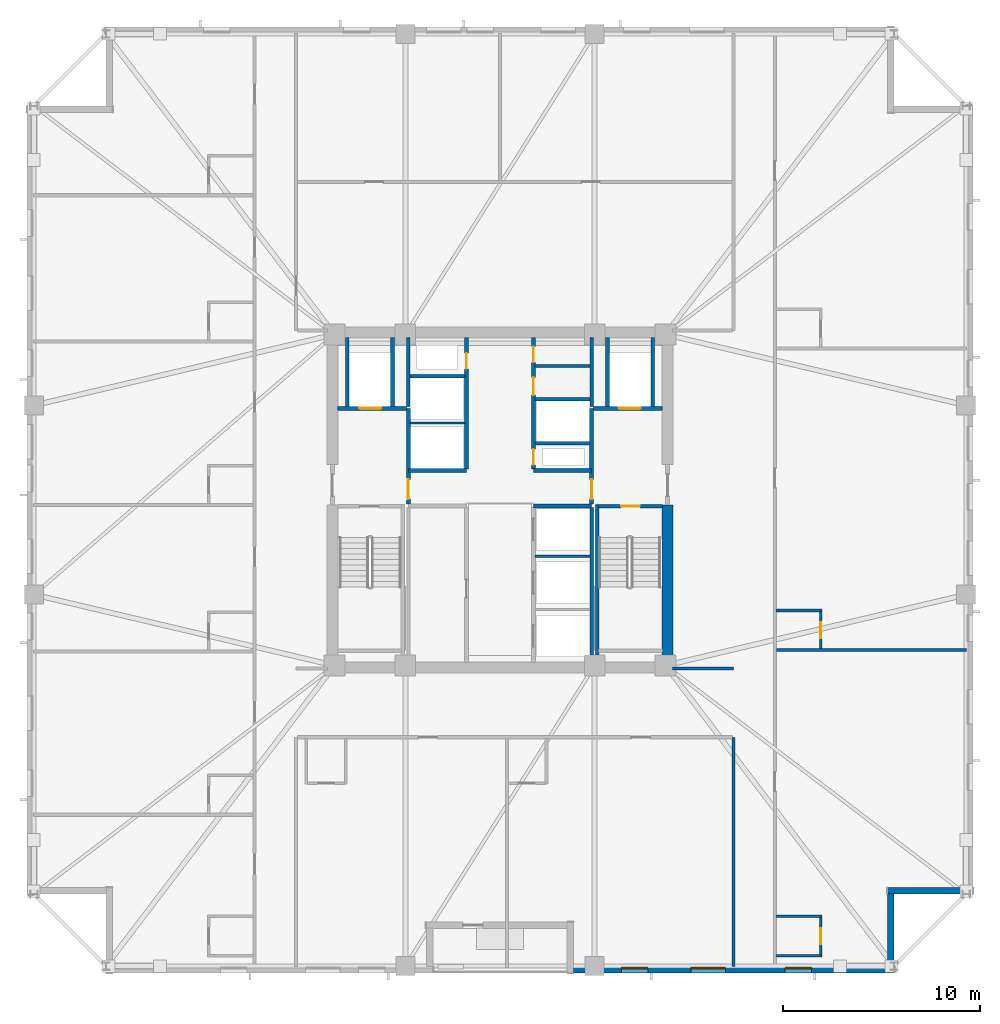
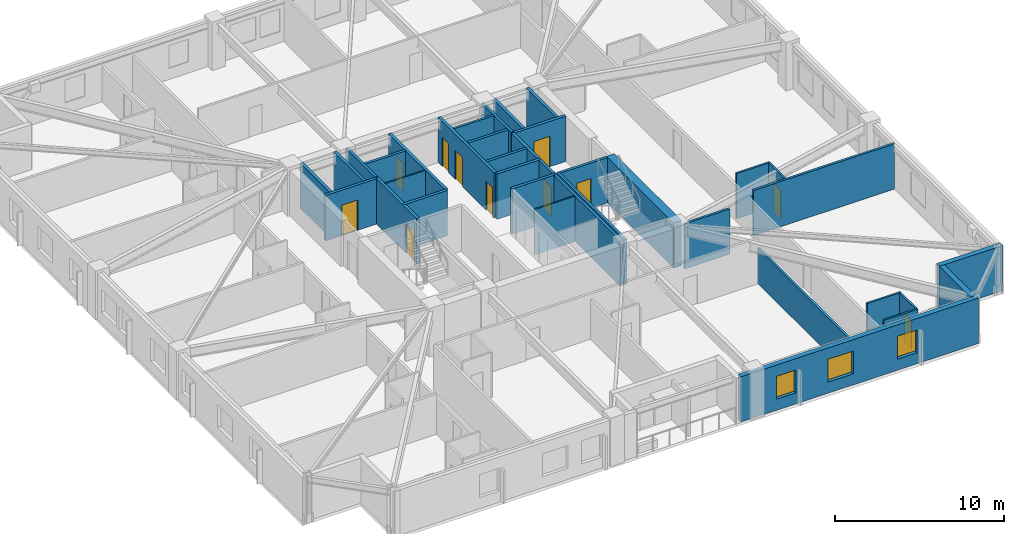
# One storey, part 4 of 11: 36 walls, 11 doors, 3 windows, 14 openings.
"""IFC4 building model written with IfcOpenShell, lengths in metres."""

import ifcopenshell
import ifcopenshell.guid

model = None  # the IFC model being written
_history = None  # IfcOwnerHistory: only IFC2X3 demands one
_inside = {}  # id of a spatial element -> (the spatial element, [elements in it])
_under = {}  # id of a project, library or spatial element -> (it, [spatial elements below it])
_declared = {}  # id of a project -> (the project, [libraries it declares])
_typed = {}  # id of a type object -> (the type object, [elements of that type])
_made_of = {}  # id of a material, layer set ... -> (it, [elements and type objects made of it])


def new_model(schema):
    """Start an empty IFC model of exactly this schema.

    Asked for "IFC4X3", IfcOpenShell would pick the latest addendum, in which some entities
    have other attributes; the version numbers below select the first issue.
    IFC2X3 requires an IfcOwnerHistory on every rooted entity: one is made here for all.
    """
    global model, _history
    if schema == "IFC4X3":
        model = ifcopenshell.file(schema_version=(4, 3, 0, 0))
    else:
        model = ifcopenshell.file(schema=schema)
    _inside.clear()
    _under.clear()
    _declared.clear()
    _typed.clear()
    _made_of.clear()
    _history = None
    if model.schema == "IFC2X3":
        org = make("IfcOrganization", Name="unknown")
        user = make(
            "IfcPersonAndOrganization",
            ThePerson=make("IfcPerson", FamilyName="unknown"),
            TheOrganization=org,
        )
        app = make(
            "IfcApplication",
            ApplicationDeveloper=org,
            Version="unknown",
            ApplicationFullName="unknown",
            ApplicationIdentifier="unknown",
        )
        _history = make(
            "IfcOwnerHistory",
            OwningUser=user,
            OwningApplication=app,
            ChangeAction="ADDED",
            CreationDate=0,
        )
    return model


def make(cls, **values):
    """One entity of the class cls with the attributes given. An attribute that is None is left unset."""
    return model.create_entity(
        cls, **{name: value for name, value in values.items() if value is not None}
    )


def rooted(cls, **values):
    """An entity with a GlobalId (a new one), such as an element, a storey or a relation."""
    return make(cls, GlobalId=ifcopenshell.guid.new(), OwnerHistory=_history, **values)


def si_unit(unit_type, name, prefix=None):
    """IfcSIUnit, for example si_unit("LENGTHUNIT", "METRE", prefix="MILLI")."""
    return make("IfcSIUnit", UnitType=unit_type, Prefix=prefix, Name=name)


def assignment(units):
    """IfcUnitAssignment: the units of a project."""
    return None if units is None else make("IfcUnitAssignment", Units=units)


def point(xyz):
    """IfcCartesianPoint."""
    return None if xyz is None else make("IfcCartesianPoint", Coordinates=xyz)


def direction(xyz):
    """IfcDirection."""
    return None if xyz is None else make("IfcDirection", DirectionRatios=xyz)


def frame(location, z_axis=None, x_axis=None):
    """IfcAxis2Placement3D, a coordinate frame: its origin and axes. An axis left out is left unset."""
    return make(
        "IfcAxis2Placement3D",
        Location=point(location),
        Axis=direction(z_axis),
        RefDirection=direction(x_axis),
    )


def frame_2d(location, x_axis=None):
    """IfcAxis2Placement2D, a coordinate frame in the plane: its origin and x axis."""
    return make(
        "IfcAxis2Placement2D", Location=point(location), RefDirection=direction(x_axis)
    )


def origin():
    """The frame at (0, 0, 0) with its axes left unset."""
    return frame((0.0, 0.0, 0.0))


def place(relative_to, where):
    """IfcLocalPlacement: puts the frame where relative to a parent placement (None: the world)."""
    return make(
        "IfcLocalPlacement", PlacementRelTo=relative_to, RelativePlacement=where
    )


def context(
    kind, dimensions, precision=None, world=None, true_north=None, identifier=None
):
    """IfcGeometricRepresentationContext, for example the 3D "Model" context."""
    return make(
        "IfcGeometricRepresentationContext",
        ContextIdentifier=identifier,
        ContextType=kind,
        CoordinateSpaceDimension=dimensions,
        Precision=precision,
        WorldCoordinateSystem=world,
        TrueNorth=true_north,
    )


def subcontext(parent, identifier, kind, view, scale=None):
    """IfcGeometricRepresentationSubContext, for example "Body" below "Model"."""
    return make(
        "IfcGeometricRepresentationSubContext",
        ContextIdentifier=identifier,
        ContextType=kind,
        ParentContext=parent,
        TargetScale=scale,
        TargetView=view,
    )


def project(units=None, contexts=None):
    """IfcProject with its units and contexts."""
    return rooted(
        "IfcProject",
        Name="project",
        RepresentationContexts=contexts,
        UnitsInContext=assignment(units),
    )


def spatial(cls, under=None, at=None, **own):
    """A site, building, storey or space (cls), placed at a placement, below another one or the project."""
    s = rooted(cls, ObjectPlacement=at, **own)
    if under is not None:
        _under.setdefault(under.id(), (under, []))[1].append(s)
    return s


def profile(cls, at=None, kind="AREA", **sizes):
    """A parametric profile (cls). Its sizes go by their IFC names, for example OverallWidth=200.0."""
    return make(cls, ProfileType=kind, Position=at, **sizes)


def rectangle(**sizes):
    """IfcRectangleProfileDef."""
    return profile("IfcRectangleProfileDef", **sizes)


def extrude(swept, where, along, depth):
    """IfcExtrudedAreaSolid: the profile swept, set in the frame where, extruded along a direction by depth."""
    return make(
        "IfcExtrudedAreaSolid",
        SweptArea=swept,
        Position=where,
        ExtrudedDirection=direction(along),
        Depth=depth,
    )


def shape(context_of_items, identifier, shape_type, items):
    """IfcShapeRepresentation: the items that make up one representation, for example the "Body"."""
    return make(
        "IfcShapeRepresentation",
        ContextOfItems=context_of_items,
        RepresentationIdentifier=identifier,
        RepresentationType=shape_type,
        Items=items,
    )


def material(Name=None, Category=None):
    """IfcMaterial."""
    return make("IfcMaterial", Name=Name, Category=Category)


def layer(
    of_material, thickness, ventilated=None, Name=None, Category=None, Priority=None
):
    """IfcMaterialLayer: one layer of a wall or slab, of a material (None: an air gap)."""
    return make(
        "IfcMaterialLayer",
        Material=of_material,
        LayerThickness=thickness,
        IsVentilated=ventilated,
        Name=Name,
        Category=Category,
        Priority=Priority,
    )


def layer_set(layers, Name=None):
    """IfcMaterialLayerSet."""
    return make("IfcMaterialLayerSet", MaterialLayers=layers, LayerSetName=Name)


def made_of(thing, what):
    """Note that an element or type object is made of a material, layer set ...; save() writes the relation."""
    if what is not None:
        _made_of.setdefault(what.id(), (what, []))[1].append(thing)
    return thing


def type_object(cls, material=None, **own):
    """A type object (cls), such as IfcWallType, which elements share."""
    return made_of(rooted(cls, **own), material)


def element(
    cls,
    number,
    at=None,
    inside=None,
    cuts=None,
    type_object=None,
    material=None,
    context=None,
    identifier="Body",
    shape_type=None,
    held_by="IfcProductDefinitionShape",
    body=None,
    shapes=None,
    **own,
):
    """One element of the class cls, such as IfcWall. Its Tag is "e" and its number.

    at: its placement. inside: the storey or other place that contains it. cuts: it is an
    opening in that element (IfcRelVoidsElement). A single representation is given by context,
    identifier, shape_type and body (its items); several are given by shapes. held_by: the class
    of the entity that holds the representations. save() writes the other relations.
    """
    e = rooted(cls, Tag="e%d" % number, ObjectPlacement=at, **own)
    if body is not None:
        shapes = [shape(context, identifier, shape_type, body)]
    if shapes is not None:
        e.Representation = make(held_by, Representations=shapes)
    if inside is not None:
        _inside.setdefault(inside.id(), (inside, []))[1].append(e)
    if cuts is not None:
        rooted(
            "IfcRelVoidsElement", RelatingBuildingElement=cuts, RelatedOpeningElement=e
        )
    if type_object is not None:
        _typed.setdefault(type_object.id(), (type_object, []))[1].append(e)
    return made_of(e, material)


def fill(opening, filler):
    """IfcRelFillsElement: the door or window that sits in an opening."""
    return rooted(
        "IfcRelFillsElement",
        RelatingOpeningElement=opening,
        RelatedBuildingElement=filler,
    )


def aggregate(whole, parts):
    """IfcRelAggregates: a whole, such as a stair, and the parts it consists of."""
    return rooted("IfcRelAggregates", RelatingObject=whole, RelatedObjects=parts)


def save(model, path):
    """Write the relations noted so far, then the file.

    IfcRelAggregates (storeys below a building ...), IfcRelContainedInSpatialStructure (elements
    in a storey), IfcRelDefinesByType, IfcRelAssociatesMaterial and IfcRelDeclares: one each for
    every whole, place, type object, material and project.
    """
    for whole, parts in _under.values():
        aggregate(whole, parts)
    for where, things in _inside.values():
        rooted(
            "IfcRelContainedInSpatialStructure",
            RelatedElements=things,
            RelatingStructure=where,
        )
    for kind, things in _typed.values():
        rooted("IfcRelDefinesByType", RelatedObjects=things, RelatingType=kind)
    for what, things in _made_of.values():
        rooted("IfcRelAssociatesMaterial", RelatedObjects=things, RelatingMaterial=what)
    for by, libraries in _declared.values():
        rooted("IfcRelDeclares", RelatingContext=by, RelatedDefinitions=libraries)
    model.write(path)


model = new_model("IFC4")

# Units and contexts
model_context = context("Model", 3, precision=1e-05, world=origin(), true_north=direction((0.0, 1.0)))
body_context = subcontext(model_context, "Body", "Model", "MODEL_VIEW")
ifc_project = project(units=[si_unit("LENGTHUNIT", "METRE"), si_unit("AREAUNIT", "SQUARE_METRE"), si_unit("VOLUMEUNIT", "CUBIC_METRE"), si_unit("PLANEANGLEUNIT", "RADIAN"), si_unit("MASSUNIT", "GRAM", prefix="KILO")], contexts=[model_context])

# Site, building, storey
site_placement = place(None, origin())
site = spatial("IfcSite", under=ifc_project, at=site_placement, CompositionType="ELEMENT")
building_placement = place(site_placement, origin())
building = spatial("IfcBuilding", under=site, at=building_placement, Name="Cairnveth Concourse Tower", CompositionType="ELEMENT")
storey_placement = place(building_placement, frame((0.0, 0.0, 155.0)))
storey = spatial("IfcBuildingStorey", under=building, at=storey_placement, Name="L42", CompositionType="ELEMENT", Elevation=155.0)

# Walls
ifc_material_1 = material(Name="Gypsum Plasterboard Partition", Category="gypsum")
ifc_layer_1 = layer(ifc_material_1, 0.159912109375)
ifc_layer_set_1 = layer_set([ifc_layer_1], Name="Gypsum Plasterboard Partition")
wall_type_1 = type_object("IfcWallType", Name="ACOUSTIC PARTY WALL 180", PredefinedType="PARTITIONING", material=ifc_layer_set_1)
wall_1_placement = place(storey_placement, frame((53.784912109375, 45.800048828125, 0.0), z_axis=(0.0, 0.0, 1.0), x_axis=(1.0, 0.0, 0.0)))
element("IfcWall", 1, at=wall_1_placement, inside=storey, type_object=wall_type_1, Name="Interior Wall IW-L42-035", PredefinedType="PARTITIONING", context=body_context, shape_type="SweptSolid", body=[
    extrude(rectangle(XDim=2.7900390625, YDim=0.159912109375, at=frame_2d((1.39501953125, 0.0))), origin(), (0.0, 0.0, 1.0), 3.280029296875),
])
wall_2_placement = place(storey_placement, frame((63.85009765625, 15.324951171875, 0.0), z_axis=(0.0, 0.0, 1.0), x_axis=(0.0, 1.0, 0.0)))
element("IfcWall", 2, at=wall_2_placement, inside=storey, type_object=wall_type_1, Name="Interior Wall IW-L42-042", PredefinedType="PARTITIONING", context=body_context, shape_type="SweptSolid", body=[
    extrude(rectangle(XDim=11.635009765625, YDim=0.159912109375, at=frame_2d((5.8173828125, 0.0))), origin(), (0.0, 0.0, 1.0), 2.554931640625),
])
wall_3_placement = place(storey_placement, frame((60.764892578125, 30.449951171875, 0.0), z_axis=(0.0, 0.0, 1.0), x_axis=(1.0, 0.0, 0.0)))
element("IfcWall", 3, at=wall_3_placement, inside=storey, type_object=wall_type_1, Name="Interior Wall IW-L42-044", PredefinedType="PARTITIONING", context=body_context, shape_type="SweptSolid", body=[
    extrude(rectangle(XDim=3.085205078125, YDim=0.159912109375, at=frame_2d((1.54248046875, 0.0))), origin(), (0.0, 0.0, 1.0), 3.280029296875),
])
wall_4_placement = place(storey_placement, frame((66.030029296875, 31.3935546875, 0.0), z_axis=(0.0, 0.0, 1.0), x_axis=(1.0, 0.0, 0.0)))
element("IfcWall", 4, at=wall_4_placement, inside=storey, type_object=wall_type_1, Name="Interior Wall IW-L42-076", PredefinedType="PARTITIONING", context=body_context, shape_type="SweptSolid", body=[
    extrude(rectangle(XDim=9.64501953125, YDim=0.159912109375, at=frame_2d((4.822509765625, 0.0))), origin(), (0.0, 0.0, 1.0), 3.280029296875),
])
ifc_material_2 = material(Name="Concrete N80 (80 MPa)", Category="concrete")
ifc_layer_2 = layer(ifc_material_2, 0.550048828125)
ifc_layer_set_2 = layer_set([ifc_layer_2], Name="Concrete N80 (80 MPa)")
wall_type_2 = type_object("IfcWallType", Name="CORE SHEAR WALL 550", PredefinedType="SHEAR", material=ifc_layer_set_2)
wall_5_placement = place(storey_placement, frame((60.5, 30.764892578125, 0.0), z_axis=(0.0, 0.0, 1.0), x_axis=(0.0, 1.0, 0.0)))
element("IfcWall", 5, at=wall_5_placement, inside=storey, type_object=wall_type_2, Name="Core East Shear Wall S L42", PredefinedType="SHEAR", context=body_context, shape_type="SweptSolid", body=[
    extrude(rectangle(XDim=7.985107421875, YDim=0.550048828125, at=frame_2d((3.99267578125, 0.0))), origin(), (0.0, 0.0, 1.0), 3.280029296875),
])
ifc_material_3 = material(Name="Concrete N50 (50 MPa)", Category="concrete")
ifc_layer_3 = layer(ifc_material_3, 0.179931640625)
ifc_layer_set_3 = layer_set([ifc_layer_3], Name="Concrete N50 (50 MPa)")
wall_type_3 = type_object("IfcWallType", Name="FIRE SHAFT WALL 180", PredefinedType="SOLIDWALL", material=ifc_layer_set_3)
wall_6_placement = place(storey_placement, frame((56.64990234375, 30.760009765625, 0.0), z_axis=(0.0, 0.0, 1.0), x_axis=(0.0, 1.0, 0.0)))
element("IfcWall", 6, at=wall_6_placement, inside=storey, type_object=wall_type_3, Name="Interior Wall IW-L42-026", PredefinedType="SOLIDWALL", context=body_context, shape_type="SweptSolid", body=[
    extrude(rectangle(XDim=7.85498046875, YDim=0.179931640625, at=frame_2d((3.927490234375, 0.0))), origin(), (0.0, 0.0, 1.0), 3.280029296875),
])
wall_7_placement = place(storey_placement, frame((47.35009765625, 43.735107421875, 0.0), z_axis=(0.0, 0.0, 1.0), x_axis=(0.0, 1.0, 0.0)))
element("IfcWall", 7, at=wall_7_placement, inside=storey, type_object=wall_type_3, Name="Interior Wall IW-L42-029", PredefinedType="SOLIDWALL", context=body_context, shape_type="SweptSolid", body=[
    extrude(rectangle(XDim=3.5048828125, YDim=0.179931640625, at=frame_2d((1.75244140625, 0.0))), origin(), (0.0, 0.0, 1.0), 3.280029296875),
])
wall_8_placement = place(storey_placement, frame((47.425048828125, 45.280029296875, 0.0), z_axis=(0.0, 0.0, 1.0), x_axis=(1.0, 0.0, 0.0)))
element("IfcWall", 8, at=wall_8_placement, inside=storey, type_object=wall_type_3, Name="Interior Wall IW-L42-031", PredefinedType="SOLIDWALL", context=body_context, shape_type="SweptSolid", body=[
    extrude(rectangle(XDim=2.7900390625, YDim=0.179931640625, at=frame_2d((1.39501953125, 0.0))), origin(), (0.0, 0.0, 1.0), 3.280029296875),
])
wall_9_placement = place(storey_placement, frame((56.64990234375, 43.735107421875, 0.0), z_axis=(0.0, 0.0, 1.0), x_axis=(0.0, 1.0, 0.0)))
element("IfcWall", 9, at=wall_9_placement, inside=storey, type_object=wall_type_3, Name="Interior Wall IW-L42-032", PredefinedType="SOLIDWALL", context=body_context, shape_type="SweptSolid", body=[
    extrude(rectangle(XDim=3.5048828125, YDim=0.179931640625, at=frame_2d((1.75244140625, 0.0))), origin(), (0.0, 0.0, 1.0), 3.280029296875),
])
wall_10_placement = place(storey_placement, frame((53.784912109375, 41.8798828125, 0.0), z_axis=(0.0, 0.0, 1.0), x_axis=(1.0, 0.0, 0.0)))
element("IfcWall", 10, at=wall_10_placement, inside=storey, type_object=wall_type_3, Name="Interior Wall IW-L42-033", PredefinedType="SOLIDWALL", context=body_context, shape_type="SweptSolid", body=[
    extrude(rectangle(XDim=2.780029296875, YDim=0.179931640625, at=frame_2d((1.39013671875, 0.0))), origin(), (0.0, 0.0, 1.0), 3.280029296875),
])
wall_11_placement = place(storey_placement, frame((53.784912109375, 44.1201171875, 0.0), z_axis=(0.0, 0.0, 1.0), x_axis=(1.0, 0.0, 0.0)))
element("IfcWall", 11, at=wall_11_placement, inside=storey, type_object=wall_type_3, Name="Interior Wall IW-L42-034", PredefinedType="SOLIDWALL", context=body_context, shape_type="SweptSolid", body=[
    extrude(rectangle(XDim=2.7900390625, YDim=0.179931640625, at=frame_2d((1.39501953125, 0.0))), origin(), (0.0, 0.0, 1.0), 3.280029296875),
])

# Wall, opening, door
wall_12_placement = place(storey_placement, frame((57.0048828125, 38.68994140625, 0.0), z_axis=(0.0, 0.0, 1.0), x_axis=(1.0, 0.0, 0.0)))
wall_12 = element("IfcWall", 12, at=wall_12_placement, inside=storey, type_object=wall_type_3, Name="Stair ST-2 Shaft Wall NEAR L42", PredefinedType="SOLIDWALL", context=body_context, shape_type="SweptSolid", body=[
    extrude(rectangle(XDim=3.230224609375, YDim=0.179931640625, at=frame_2d((1.615234375, 0.0))), origin(), (0.0, 0.0, 1.0), 3.280029296875),
])
opening_1_placement = place(wall_12_placement, frame((1.139892578125, 0.0, 0.0)))
opening_1 = element("IfcOpeningElement", 13, at=opening_1_placement, cuts=wall_12, Name="Opening ID12", PredefinedType="OPENING", context=body_context, shape_type="SweptSolid", body=[
    extrude(rectangle(XDim=0.949951171875, YDim=2.14990234375, at=frame_2d((0.47509765625, 1.074951171875))), frame((0.0, 0.099853515625, 0.0), z_axis=(0.0, -1.0, 0.0), x_axis=(1.0, 0.0, 0.0)), (0.0, 0.0, 1.0), 0.199951171875),
])
ifc_material_4 = material(Name="Steel Grade 350", Category="steel")
door_type_1 = type_object("IfcDoorType", Name="FIRE STAIR DOOR 950X2150", OperationType="NOTDEFINED", PredefinedType="DOOR", material=ifc_material_4)
door_1_placement = place(opening_1_placement, origin())
door_1 = element("IfcDoor", 14, at=door_1_placement, inside=storey, type_object=door_type_1, Name="Stair ST-2 Fire Door L42", OperationType="SINGLE_SWING_RIGHT", OverallHeight=2.14990234375, OverallWidth=0.949951171875, PredefinedType="DOOR", context=body_context, shape_type="SweptSolid", body=[
    extrude(rectangle(XDim=0.949951171875, YDim=2.14990234375, at=frame_2d((0.47509765625, 1.074951171875))), frame((0.0, 0.02490234375, 0.0), z_axis=(0.0, -1.0, 0.0), x_axis=(1.0, 0.0, 0.0)), (0.0, 0.0, 1.0), 0.050048828125),
])
fill(opening_1, door_1)

# Walls
wall_13_placement = place(storey_placement, frame((56.929931640625, 38.780029296875, 0.0), z_axis=(0.0, 0.0, 1.0), x_axis=(0.0, -1.0, 0.0)))
element("IfcWall", 15, at=wall_13_placement, inside=storey, type_object=wall_type_3, Name="Stair ST-2 Shaft Wall LEFT L42", PredefinedType="SOLIDWALL", context=body_context, shape_type="SweptSolid", body=[
    extrude(rectangle(XDim=8.01708984375, YDim=0.179931640625, at=frame_2d((4.008544921875, 0.0))), origin(), (0.0, 0.0, 1.0), 3.280029296875),
])
ifc_layer_4 = layer(ifc_material_3, 0.199951171875)
ifc_layer_set_4 = layer_set([ifc_layer_4], Name="Concrete N50 (50 MPa)")
wall_type_4 = type_object("IfcWallType", Name="FIRE SHAFT WALL 200", PredefinedType="SOLIDWALL", material=ifc_layer_set_4)
for number, where, z_axis, x_axis, name in (
    (16, (47.35009765625, 40.5, 0.0), (0.0, 0.0, 1.0), (1.0, 0.0, 0.0), "Interior Wall IW-L42-008"),
    (17, (53.699951171875, 38.699951171875, 0.0), (0.0, 0.0, 1.0), (1.0, 0.0, 0.0), "Interior Wall IW-L42-009"),
    (18, (53.699951171875, 40.5, 0.0), (0.0, 0.0, 1.0), (1.0, 0.0, 0.0), "Interior Wall IW-L42-010"),
):
    element("IfcWall", number, at=place(storey_placement, frame(where, z_axis=z_axis, x_axis=x_axis)), inside=storey, type_object=wall_type_4, Name=name, PredefinedType="SOLIDWALL", context=body_context, shape_type="SweptSolid", body=[
        extrude(rectangle(XDim=2.949951171875, YDim=0.199951171875, at=frame_2d((1.47509765625, 0.0))), origin(), (0.0, 0.0, 1.0), 3.280029296875),
    ])

# Wall, opening, door
wall_14_placement = place(storey_placement, frame((50.300048828125, 40.5849609375, 0.0), z_axis=(0.0, 0.0, 1.0), x_axis=(0.0, 1.0, 0.0)))
wall_14 = element("IfcWall", 19, at=wall_14_placement, inside=storey, type_object=wall_type_4, Name="Interior Wall IW-L42-013", PredefinedType="SOLIDWALL", context=body_context, shape_type="SweptSolid", body=[
    extrude(rectangle(XDim=6.655029296875, YDim=0.199951171875, at=frame_2d((3.32763671875, 0.0))), origin(), (0.0, 0.0, 1.0), 3.280029296875),
])
opening_2_placement = place(wall_14_placement, frame((5.06494140625, 0.0, 0.0)))
opening_2 = element("IfcOpeningElement", 20, at=opening_2_placement, cuts=wall_14, Name="Opening ID24", PredefinedType="OPENING", context=body_context, shape_type="SweptSolid", body=[
    extrude(rectangle(XDim=0.800048828125, YDim=2.080078125, at=frame_2d((0.39990234375, 1.0400390625))), frame((0.0, 0.10986328125, 0.0), z_axis=(0.0, -1.0, 0.0), x_axis=(1.0, 0.0, 0.0)), (0.0, 0.0, 1.0), 0.219970703125),
])
door_type_2 = type_object("IfcDoorType", Name="RISER ACCESS DOOR 800X2100", OperationType="NOTDEFINED", PredefinedType="DOOR", material=ifc_material_4)
door_2_placement = place(opening_2_placement, origin())
door_2 = element("IfcDoor", 21, at=door_2_placement, inside=storey, type_object=door_type_2, Name="NW Electrical Riser Access Door L42", OperationType="SINGLE_SWING_LEFT", OverallHeight=2.080078125, OverallWidth=0.800048828125, PredefinedType="DOOR", context=body_context, shape_type="SweptSolid", body=[
    extrude(rectangle(XDim=0.800048828125, YDim=2.080078125, at=frame_2d((0.39990234375, 1.0400390625))), frame((0.0, 0.02490234375, 0.0), z_axis=(0.0, -1.0, 0.0), x_axis=(1.0, 0.0, 0.0)), (0.0, 0.0, 1.0), 0.050048828125),
])
fill(opening_2, door_2)

# Wall, openings, doors
wall_15_placement = place(storey_placement, frame((53.699951171875, 40.5849609375, 0.0), z_axis=(0.0, 0.0, 1.0), x_axis=(0.0, 1.0, 0.0)))
wall_15 = element("IfcWall", 22, at=wall_15_placement, inside=storey, type_object=wall_type_4, Name="Interior Wall IW-L42-014", PredefinedType="SOLIDWALL", context=body_context, shape_type="SweptSolid", body=[
    extrude(rectangle(XDim=6.655029296875, YDim=0.199951171875, at=frame_2d((3.32763671875, 0.0))), origin(), (0.0, 0.0, 1.0), 3.280029296875),
])
opening_3_placement = place(wall_15_placement, frame((0.195068359375, 0.0, 0.0)))
opening_3 = element("IfcOpeningElement", 23, at=opening_3_placement, cuts=wall_15, Name="Opening ID24", PredefinedType="OPENING", context=body_context, shape_type="SweptSolid", body=[
    extrude(rectangle(XDim=0.800048828125, YDim=2.080078125, at=frame_2d((0.39990234375, 1.0400390625))), frame((0.0, 0.10986328125, 0.0), z_axis=(0.0, -1.0, 0.0), x_axis=(1.0, 0.0, 0.0)), (0.0, 0.0, 1.0), 0.219970703125),
])
opening_4_placement = place(wall_15_placement, frame((3.735107421875, 0.0, 0.0)))
opening_4 = element("IfcOpeningElement", 24, at=opening_4_placement, cuts=wall_15, Name="Opening ID26", PredefinedType="OPENING", context=body_context, shape_type="SweptSolid", body=[
    extrude(rectangle(XDim=0.89990234375, YDim=2.1201171875, at=frame_2d((0.449951171875, 1.06005859375))), frame((0.0, 0.10986328125, 0.0), z_axis=(0.0, -1.0, 0.0), x_axis=(1.0, 0.0, 0.0)), (0.0, 0.0, 1.0), 0.219970703125),
])
opening_5_placement = place(wall_15_placement, frame((5.39501953125, 0.0, 0.0)))
opening_5 = element("IfcOpeningElement", 25, at=opening_5_placement, cuts=wall_15, Name="Opening ID23", PredefinedType="OPENING", context=body_context, shape_type="SweptSolid", body=[
    extrude(rectangle(XDim=0.800048828125, YDim=2.10009765625, at=frame_2d((0.39990234375, 1.050048828125))), frame((0.0, 0.10986328125, 0.0), z_axis=(0.0, -1.0, 0.0), x_axis=(1.0, 0.0, 0.0)), (0.0, 0.0, 1.0), 0.219970703125),
])
door_type_3 = type_object("IfcDoorType", Name="CORE SERVICE DOOR 800X2100", OperationType="NOTDEFINED", PredefinedType="DOOR", material=ifc_material_4)
door_3_placement = place(opening_5_placement, origin())
door_3 = element("IfcDoor", 26, at=door_3_placement, inside=storey, type_object=door_type_3, Name="Core NE Cleaners Door L42", OperationType="SINGLE_SWING_RIGHT", OverallHeight=2.10009765625, OverallWidth=0.800048828125, PredefinedType="DOOR", context=body_context, shape_type="SweptSolid", body=[
    extrude(rectangle(XDim=0.800048828125, YDim=2.10009765625, at=frame_2d((0.39990234375, 1.050048828125))), frame((0.0, 0.02490234375, 0.0), z_axis=(0.0, -1.0, 0.0), x_axis=(1.0, 0.0, 0.0)), (0.0, 0.0, 1.0), 0.050048828125),
])
fill(opening_5, door_3)
door_type_4 = type_object("IfcDoorType", Name="CORE TOILET FIRE DOOR 900X2120", OperationType="NOTDEFINED", PredefinedType="DOOR", material=ifc_material_4)
door_4_placement = place(opening_4_placement, origin())
door_4 = element("IfcDoor", 27, at=door_4_placement, inside=storey, type_object=door_type_4, Name="Core NE Unisex WC Door L42", OperationType="SINGLE_SWING_LEFT", OverallHeight=2.1201171875, OverallWidth=0.89990234375, PredefinedType="DOOR", context=body_context, shape_type="SweptSolid", body=[
    extrude(rectangle(XDim=0.89990234375, YDim=2.1201171875, at=frame_2d((0.449951171875, 1.06005859375))), frame((0.0, 0.02490234375, 0.0), z_axis=(0.0, -1.0, 0.0), x_axis=(1.0, 0.0, 0.0)), (0.0, 0.0, 1.0), 0.050048828125),
])
fill(opening_4, door_4)
door_5_placement = place(opening_3_placement, origin())
door_5 = element("IfcDoor", 28, at=door_5_placement, inside=storey, type_object=door_type_2, Name="Hydraulic Riser Door L42", OperationType="SINGLE_SWING_RIGHT", OverallHeight=2.080078125, OverallWidth=0.800048828125, PredefinedType="DOOR", context=body_context, shape_type="SweptSolid", body=[
    extrude(rectangle(XDim=0.800048828125, YDim=2.080078125, at=frame_2d((0.39990234375, 1.0400390625))), frame((0.0, 0.02490234375, 0.0), z_axis=(0.0, -1.0, 0.0), x_axis=(1.0, 0.0, 0.0)), (0.0, 0.0, 1.0), 0.050048828125),
])
fill(opening_3, door_5)

# Wall, opening, door
wall_16_placement = place(storey_placement, frame((47.35009765625, 38.784912109375, 0.0), z_axis=(0.0, 0.0, 1.0), x_axis=(0.0, 1.0, 0.0)))
wall_16 = element("IfcWall", 29, at=wall_16_placement, inside=storey, type_object=wall_type_4, Name="Interior Wall IW-L42-016", PredefinedType="SOLIDWALL", context=body_context, shape_type="SweptSolid", body=[
    extrude(rectangle(XDim=4.864990234375, YDim=0.199951171875, at=frame_2d((2.4326171875, 0.0))), origin(), (0.0, 0.0, 1.0), 3.280029296875),
])
opening_6_placement = place(wall_16_placement, frame((0.264892578125, 0.0, 0.0)))
opening_6 = element("IfcOpeningElement", 30, at=opening_6_placement, cuts=wall_16, Name="Opening ID07", PredefinedType="OPENING", context=body_context, shape_type="SweptSolid", body=[
    extrude(rectangle(XDim=1.0, YDim=2.14990234375, at=frame_2d((0.5, 1.074951171875))), frame((0.0, 0.10986328125, 0.0), z_axis=(0.0, -1.0, 0.0), x_axis=(1.0, 0.0, 0.0)), (0.0, 0.0, 1.0), 0.219970703125),
])
door_type_5 = type_object("IfcDoorType", Name="FIRE CORRIDOR DOOR 1000X2150", OperationType="NOTDEFINED", PredefinedType="DOOR", material=ifc_material_4)
door_6_placement = place(opening_6_placement, origin())
door_6 = element("IfcDoor", 31, at=door_6_placement, inside=storey, type_object=door_type_5, Name="FF Lobby West to Lift Lobby Door L42", OperationType="SINGLE_SWING_RIGHT", OverallHeight=2.14990234375, OverallWidth=1.0, PredefinedType="DOOR", context=body_context, shape_type="SweptSolid", body=[
    extrude(rectangle(XDim=1.0, YDim=2.14990234375, at=frame_2d((0.5, 1.074951171875))), frame((0.0, 0.02490234375, 0.0), z_axis=(0.0, -1.0, 0.0), x_axis=(1.0, 0.0, 0.0)), (0.0, 0.0, 1.0), 0.050048828125),
])
fill(opening_6, door_6)

wall_17_placement = place(storey_placement, frame((43.760009765625, 43.64990234375, 0.0), z_axis=(0.0, 0.0, 1.0), x_axis=(1.0, 0.0, 0.0)))
wall_17 = element("IfcWall", 32, at=wall_17_placement, inside=storey, type_object=wall_type_4, Name="Interior Wall IW-L42-017", PredefinedType="SOLIDWALL", context=body_context, shape_type="SweptSolid", body=[
    extrude(rectangle(XDim=3.5048828125, YDim=0.199951171875, at=frame_2d((1.75244140625, 0.0))), origin(), (0.0, 0.0, 1.0), 3.280029296875),
])
opening_7_placement = place(wall_17_placement, frame((1.110107421875, 0.0, 0.0)))
opening_7 = element("IfcOpeningElement", 33, at=opening_7_placement, cuts=wall_17, Name="Opening LD-1", PredefinedType="OPENING", context=body_context, shape_type="SweptSolid", body=[
    extrude(rectangle(XDim=1.10009765625, YDim=2.199951171875, at=frame_2d((0.550048828125, 1.10009765625))), frame((0.0, 0.10986328125, 0.0), z_axis=(0.0, -1.0, 0.0), x_axis=(1.0, 0.0, 0.0)), (0.0, 0.0, 1.0), 0.219970703125),
])
ifc_material_5 = material(Name="Architectural Bronze Anodised Aluminium 6063-T6", Category="aluminium")
door_type_6 = type_object("IfcDoorType", Name="LIFT LANDING DOOR 1100X2200", OperationType="SLIDING_TO_LEFT", PredefinedType="DOOR", material=ifc_material_5)
door_7_placement = place(opening_7_placement, origin())
door_7 = element("IfcDoor", 34, at=door_7_placement, inside=storey, type_object=door_type_6, Name="Lift FFL1 Landing Door L42", OperationType="SLIDING_TO_LEFT", OverallHeight=2.199951171875, OverallWidth=1.10009765625, PredefinedType="DOOR", context=body_context, shape_type="SweptSolid", body=[
    extrude(rectangle(XDim=1.10009765625, YDim=2.199951171875, at=frame_2d((0.550048828125, 1.10009765625))), frame((0.0, 0.02490234375, 0.0), z_axis=(0.0, -1.0, 0.0), x_axis=(1.0, 0.0, 0.0)), (0.0, 0.0, 1.0), 0.050048828125),
])
fill(opening_7, door_7)

# Walls
for number, where, z_axis, x_axis, name in (
    (35, (46.550048828125, 43.735107421875, 0.0), (0.0, 0.0, 1.0), (0.0, 1.0, 0.0), "Interior Wall IW-L42-018"),
    (36, (44.25, 43.735107421875, 0.0), (0.0, 0.0, 1.0), (0.0, 1.0, 0.0), "Interior Wall IW-L42-019"),
):
    element("IfcWall", number, at=place(storey_placement, frame(where, z_axis=z_axis, x_axis=x_axis)), inside=storey, type_object=wall_type_4, Name=name, PredefinedType="SOLIDWALL", context=body_context, shape_type="SweptSolid", body=[
        extrude(rectangle(XDim=3.5048828125, YDim=0.199951171875, at=frame_2d((1.75244140625, 0.0))), origin(), (0.0, 0.0, 1.0), 3.280029296875),
    ])

# Wall, opening, door
wall_18_placement = place(storey_placement, frame((56.64990234375, 38.784912109375, 0.0), z_axis=(0.0, 0.0, 1.0), x_axis=(0.0, 1.0, 0.0)))
wall_18 = element("IfcWall", 37, at=wall_18_placement, inside=storey, type_object=wall_type_4, Name="Interior Wall IW-L42-021", PredefinedType="SOLIDWALL", context=body_context, shape_type="SweptSolid", body=[
    extrude(rectangle(XDim=4.864990234375, YDim=0.199951171875, at=frame_2d((2.4326171875, 0.0))), origin(), (0.0, 0.0, 1.0), 3.280029296875),
])
opening_8_placement = place(wall_18_placement, frame((0.264892578125, 0.0, 0.0)))
opening_8 = element("IfcOpeningElement", 38, at=opening_8_placement, cuts=wall_18, Name="Opening ID07", PredefinedType="OPENING", context=body_context, shape_type="SweptSolid", body=[
    extrude(rectangle(XDim=1.0, YDim=2.14990234375, at=frame_2d((0.5, 1.074951171875))), frame((0.0, 0.10986328125, 0.0), z_axis=(0.0, -1.0, 0.0), x_axis=(1.0, 0.0, 0.0)), (0.0, 0.0, 1.0), 0.219970703125),
])
door_8_placement = place(opening_8_placement, origin())
door_8 = element("IfcDoor", 39, at=door_8_placement, inside=storey, type_object=door_type_5, Name="FF Lobby East to Lift Lobby Door L42", OperationType="SINGLE_SWING_LEFT", OverallHeight=2.14990234375, OverallWidth=1.0, PredefinedType="DOOR", context=body_context, shape_type="SweptSolid", body=[
    extrude(rectangle(XDim=1.0, YDim=2.14990234375, at=frame_2d((0.5, 1.074951171875))), frame((0.0, 0.02490234375, 0.0), z_axis=(0.0, -1.0, 0.0), x_axis=(1.0, 0.0, 0.0)), (0.0, 0.0, 1.0), 0.050048828125),
])
fill(opening_8, door_8)

wall_19_placement = place(storey_placement, frame((56.735107421875, 43.64990234375, 0.0), z_axis=(0.0, 0.0, 1.0), x_axis=(1.0, 0.0, 0.0)))
wall_19 = element("IfcWall", 40, at=wall_19_placement, inside=storey, type_object=wall_type_4, Name="Interior Wall IW-L42-022", PredefinedType="SOLIDWALL", context=body_context, shape_type="SweptSolid", body=[
    extrude(rectangle(XDim=3.5048828125, YDim=0.199951171875, at=frame_2d((1.75244140625, 0.0))), origin(), (0.0, 0.0, 1.0), 3.280029296875),
])
opening_9_placement = place(wall_19_placement, frame((1.294921875, 0.0, 0.0)))
opening_9 = element("IfcOpeningElement", 41, at=opening_9_placement, cuts=wall_19, Name="Opening LD-1", PredefinedType="OPENING", context=body_context, shape_type="SweptSolid", body=[
    extrude(rectangle(XDim=1.10009765625, YDim=2.199951171875, at=frame_2d((0.550048828125, 1.10009765625))), frame((0.0, 0.10986328125, 0.0), z_axis=(0.0, -1.0, 0.0), x_axis=(1.0, 0.0, 0.0)), (0.0, 0.0, 1.0), 0.219970703125),
])
door_9_placement = place(opening_9_placement, origin())
door_9 = element("IfcDoor", 42, at=door_9_placement, inside=storey, type_object=door_type_6, Name="Lift FFL2 Landing Door L42", OperationType="SLIDING_TO_LEFT", OverallHeight=2.199951171875, OverallWidth=1.10009765625, PredefinedType="DOOR", context=body_context, shape_type="SweptSolid", body=[
    extrude(rectangle(XDim=1.10009765625, YDim=2.199951171875, at=frame_2d((0.550048828125, 1.10009765625))), frame((0.0, 0.02490234375, 0.0), z_axis=(0.0, -1.0, 0.0), x_axis=(1.0, 0.0, 0.0)), (0.0, 0.0, 1.0), 0.050048828125),
])
fill(opening_9, door_9)

# Walls
for number, where, z_axis, x_axis, name in (
    (43, (57.449951171875, 43.735107421875, 0.0), (0.0, 0.0, 1.0), (0.0, 1.0, 0.0), "Interior Wall IW-L42-023"),
    (44, (59.75, 43.735107421875, 0.0), (0.0, 0.0, 1.0), (0.0, 1.0, 0.0), "Interior Wall IW-L42-024"),
):
    element("IfcWall", number, at=place(storey_placement, frame(where, z_axis=z_axis, x_axis=x_axis)), inside=storey, type_object=wall_type_4, Name=name, PredefinedType="SOLIDWALL", context=body_context, shape_type="SweptSolid", body=[
        extrude(rectangle(XDim=3.5048828125, YDim=0.199951171875, at=frame_2d((1.75244140625, 0.0))), origin(), (0.0, 0.0, 1.0), 3.280029296875),
    ])
ifc_layer_5 = layer(ifc_material_1, 0.110107421875)
ifc_layer_set_5 = layer_set([ifc_layer_5], Name="Gypsum Plasterboard Partition")
wall_type_5 = type_object("IfcWallType", Name="SHAFT DIVIDER WALL 140", PredefinedType="PARTITIONING", material=ifc_layer_set_5)
wall_20_placement = place(storey_placement, frame((53.784912109375, 36.14990234375, 0.0), z_axis=(0.0, 0.0, 1.0), x_axis=(1.0, 0.0, 0.0)))
element("IfcWall", 45, at=wall_20_placement, inside=storey, type_object=wall_type_5, Name="Interior Wall IW-L42-028", PredefinedType="PARTITIONING", context=body_context, shape_type="SweptSolid", body=[
    extrude(rectangle(XDim=2.7900390625, YDim=0.110107421875, at=frame_2d((1.39501953125, 0.0))), origin(), (0.0, 0.0, 1.0), 3.280029296875),
])
wall_21_placement = place(storey_placement, frame((47.43505859375, 42.89990234375, 0.0), z_axis=(0.0, 0.0, 1.0), x_axis=(1.0, 0.0, 0.0)))
element("IfcWall", 46, at=wall_21_placement, inside=storey, type_object=wall_type_5, Name="Interior Wall IW-L42-030", PredefinedType="PARTITIONING", context=body_context, shape_type="SweptSolid", body=[
    extrude(rectangle(XDim=2.780029296875, YDim=0.110107421875, at=frame_2d((1.39013671875, 0.0))), origin(), (0.0, 0.0, 1.0), 3.280029296875),
])
ifc_layer_6 = layer(ifc_material_1, 0.1298828125)
ifc_layer_set_6 = layer_set([ifc_layer_6], Name="Gypsum Plasterboard Partition")
wall_type_6 = type_object("IfcWallType", Name="WET AREA PARTITION 140", PredefinedType="PLUMBINGWALL", material=ifc_layer_set_6)
for number, where, z_axis, x_axis, name in (
    (47, (66.014892578125, 15.8701171875, 0.0), (0.0, 0.0, 1.0), (1.0, 0.0, 0.0), "Interior Wall IW-L42-073"),
    (48, (66.014892578125, 17.8701171875, 0.0), (0.0, 0.0, 1.0), (1.0, 0.0, 0.0), "Interior Wall IW-L42-074"),
):
    element("IfcWall", number, at=place(storey_placement, frame(where, z_axis=z_axis, x_axis=x_axis)), inside=storey, type_object=wall_type_6, Name=name, PredefinedType="PLUMBINGWALL", context=body_context, shape_type="SweptSolid", body=[
        extrude(rectangle(XDim=2.315185546875, YDim=0.1298828125, at=frame_2d((1.15771484375, 0.0))), origin(), (0.0, 0.0, 1.0), 3.280029296875),
    ])

# Wall, opening, door
wall_22_placement = place(storey_placement, frame((68.280029296875, 15.919921875, 0.0), z_axis=(0.0, 0.0, 1.0), x_axis=(0.0, 1.0, 0.0)))
wall_22 = element("IfcWall", 49, at=wall_22_placement, inside=storey, type_object=wall_type_6, Name="Interior Wall IW-L42-075", PredefinedType="PLUMBINGWALL", context=body_context, shape_type="SweptSolid", body=[
    extrude(rectangle(XDim=1.900146484375, YDim=0.1298828125, at=frame_2d((0.9501953125, 0.0))), origin(), (0.0, 0.0, 1.0), 3.280029296875),
])
opening_10_placement = place(wall_22_placement, frame((0.5400390625, 0.0, 0.0)))
opening_10 = element("IfcOpeningElement", 50, at=opening_10_placement, cuts=wall_22, Name="Opening ID22", PredefinedType="OPENING", context=body_context, shape_type="SweptSolid", body=[
    extrude(rectangle(XDim=0.820068359375, YDim=2.10009765625, at=frame_2d((0.41015625, 1.050048828125))), frame((0.0, 0.074951171875, 0.0), z_axis=(0.0, -1.0, 0.0), x_axis=(1.0, 0.0, 0.0)), (0.0, 0.0, 1.0), 0.14990234375),
])
ifc_material_6 = material(Name="Solid Core Hardwood Timber Leaf", Category="wood")
door_type_7 = type_object("IfcDoorType", Name="INTERIOR WC DOOR 820X2100", OperationType="NOTDEFINED", PredefinedType="DOOR", material=ifc_material_6)
door_10_placement = place(opening_10_placement, origin())
door_10 = element("IfcDoor", 51, at=door_10_placement, inside=storey, type_object=door_type_7, Name="En-Suite Door L42-E1", OperationType="SINGLE_SWING_RIGHT", OverallHeight=2.10009765625, OverallWidth=0.820068359375, PredefinedType="DOOR", context=body_context, shape_type="SweptSolid", body=[
    extrude(rectangle(XDim=0.820068359375, YDim=2.10009765625, at=frame_2d((0.41015625, 1.050048828125))), frame((0.0, 0.02490234375, 0.0), z_axis=(0.0, -1.0, 0.0), x_axis=(1.0, 0.0, 0.0)), (0.0, 0.0, 1.0), 0.050048828125),
])
fill(opening_10, door_10)

# Wall
wall_23_placement = place(storey_placement, frame((66.014892578125, 33.3935546875, 0.0), z_axis=(0.0, 0.0, 1.0), x_axis=(1.0, 0.0, 0.0)))
element("IfcWall", 52, at=wall_23_placement, inside=storey, type_object=wall_type_6, Name="Interior Wall IW-L42-077", PredefinedType="PLUMBINGWALL", context=body_context, shape_type="SweptSolid", body=[
    extrude(rectangle(XDim=2.315185546875, YDim=0.1298828125, at=frame_2d((1.15771484375, 0.0))), origin(), (0.0, 0.0, 1.0), 3.280029296875),
])

# Wall, opening, door
wall_24_placement = place(storey_placement, frame((68.280029296875, 31.45849609375, 0.0), z_axis=(0.0, 0.0, 1.0), x_axis=(0.0, 1.0, 0.0)))
wall_24 = element("IfcWall", 53, at=wall_24_placement, inside=storey, type_object=wall_type_6, Name="Interior Wall IW-L42-078", PredefinedType="PLUMBINGWALL", context=body_context, shape_type="SweptSolid", body=[
    extrude(rectangle(XDim=1.885009765625, YDim=0.1298828125, at=frame_2d((0.9423828125, 0.0))), origin(), (0.0, 0.0, 1.0), 3.280029296875),
])
opening_11_placement = place(wall_24_placement, frame((0.52490234375, 0.0, 0.0)))
opening_11 = element("IfcOpeningElement", 54, at=opening_11_placement, cuts=wall_24, Name="Opening ID22", PredefinedType="OPENING", context=body_context, shape_type="SweptSolid", body=[
    extrude(rectangle(XDim=0.820068359375, YDim=2.10009765625, at=frame_2d((0.41015625, 1.050048828125))), frame((0.0, 0.074951171875, 0.0), z_axis=(0.0, -1.0, 0.0), x_axis=(1.0, 0.0, 0.0)), (0.0, 0.0, 1.0), 0.14990234375),
])
door_11_placement = place(opening_11_placement, origin())
door_11 = element("IfcDoor", 55, at=door_11_placement, inside=storey, type_object=door_type_7, Name="En-Suite Door L42-E2", OperationType="SINGLE_SWING_RIGHT", OverallHeight=2.10009765625, OverallWidth=0.820068359375, PredefinedType="DOOR", context=body_context, shape_type="SweptSolid", body=[
    extrude(rectangle(XDim=0.820068359375, YDim=2.10009765625, at=frame_2d((0.41015625, 1.050048828125))), frame((0.0, 0.02490234375, 0.0), z_axis=(0.0, -1.0, 0.0), x_axis=(1.0, 0.0, 0.0)), (0.0, 0.0, 1.0), 0.050048828125),
])
fill(opening_11, door_11)

# Walls
ifc_material_7 = material(Name="Hawthorn Red-Ochre Fired Clay Brick Masonry", Category="masonry")
ifc_layer_7 = layer(ifc_material_7, 0.340087890625)
ifc_layer_set_7 = layer_set([ifc_layer_7], Name="Hawthorn Red-Ochre Fired Clay Brick Masonry")
wall_type_7 = type_object("IfcWallType", Name="ZONE 2 BRICK PIER SPANDREL WALL 340", PredefinedType="SOLIDWALL", material=ifc_layer_set_7)
wall_25_placement = place(storey_placement, frame((76.0, 19.169921875, 0.0), z_axis=(0.0, 0.0, 1.0), x_axis=(-1.0, 0.0, 0.0)))
element("IfcWall", 56, at=wall_25_placement, inside=storey, type_object=wall_type_7, Name="Exterior Wall EW-L42-S10", PredefinedType="SOLIDWALL", context=body_context, shape_type="SweptSolid", body=[
    extrude(rectangle(XDim=4.340087890625, YDim=0.340087890625, at=frame_2d((2.169921875, 0.0))), origin(), (0.0, 0.0, 1.0), 3.280029296875),
])
wall_26_placement = place(storey_placement, frame((71.830078125, 19.02197265625, 0.0), z_axis=(0.0, 0.0, 1.0), x_axis=(0.0, -1.0, 0.0)))
element("IfcWall", 57, at=wall_26_placement, inside=storey, type_object=wall_type_7, Name="Exterior Wall EW-L42-S11", PredefinedType="SOLIDWALL", context=body_context, shape_type="SweptSolid", body=[
    extrude(rectangle(XDim=3.703857421875, YDim=0.340087890625, at=frame_2d((1.85205078125, 0.0))), origin(), (0.0, 0.0, 1.0), 3.280029296875),
])

# Wall, openings, windows
wall_27_placement = place(storey_placement, frame((72.0, 15.169921875, 0.0), z_axis=(0.0, 0.0, 1.0), x_axis=(-1.0, 0.0, 0.0)))
wall_27 = element("IfcWall", 58, at=wall_27_placement, inside=storey, type_object=wall_type_7, Name="Exterior Wall EW-L42-S12", PredefinedType="SOLIDWALL", context=body_context, shape_type="SweptSolid", body=[
    extrude(rectangle(XDim=16.281982421875, YDim=0.340087890625, at=frame_2d((8.14111328125, 0.0))), origin(), (0.0, 0.0, 1.0), 3.280029296875),
])
opening_12_placement = place(wall_27_placement, frame((4.188720703125, 0.0, 0.800048828125)))
opening_12 = element("IfcOpeningElement", 59, at=opening_12_placement, cuts=wall_27, Name="Opening W02", PredefinedType="OPENING", context=body_context, shape_type="SweptSolid", body=[
    extrude(rectangle(XDim=1.35009765625, YDim=1.659912109375, at=frame_2d((0.675048828125, 0.830078125))), frame((0.0, 0.179931640625, 0.0), z_axis=(0.0, -1.0, 0.0), x_axis=(1.0, 0.0, 0.0)), (0.0, 0.0, 1.0), 0.360107421875),
])
opening_13_placement = place(wall_27_placement, frame((8.56591796875, 0.0, 0.800048828125)))
opening_13 = element("IfcOpeningElement", 60, at=opening_13_placement, cuts=wall_27, Name="Opening W06", PredefinedType="OPENING", context=body_context, shape_type="SweptSolid", body=[
    extrude(rectangle(XDim=1.75, YDim=1.659912109375, at=frame_2d((0.875, 0.830078125))), frame((0.0, 0.179931640625, 0.0), z_axis=(0.0, -1.0, 0.0), x_axis=(1.0, 0.0, 0.0)), (0.0, 0.0, 1.0), 0.360107421875),
])
opening_14_placement = place(wall_27_placement, frame((12.493408203125, 0.0, 0.800048828125)))
opening_14 = element("IfcOpeningElement", 61, at=opening_14_placement, cuts=wall_27, Name="Opening W02", PredefinedType="OPENING", context=body_context, shape_type="SweptSolid", body=[
    extrude(rectangle(XDim=1.35009765625, YDim=1.659912109375, at=frame_2d((0.675048828125, 0.830078125))), frame((0.0, 0.179931640625, 0.0), z_axis=(0.0, -1.0, 0.0), x_axis=(1.0, 0.0, 0.0)), (0.0, 0.0, 1.0), 0.360107421875),
])
ifc_material_8 = material(Name="Double Glazed Low-E Clear Glass", Category="glass")
window_type_1 = type_object("IfcWindowType", Name="DEEP-SET GOTHIC LANCET WINDOW 1350X1800", PartitioningType="DOUBLE_PANEL_VERTICAL", PredefinedType="WINDOW", material=ifc_material_8)
window_1_placement = place(opening_12_placement, origin())
window_1 = element("IfcWindow", 62, at=window_1_placement, inside=storey, type_object=window_type_1, Name="Gothic Lancet Window L42-12-1", OverallHeight=1.659912109375, OverallWidth=1.35009765625, PartitioningType="SINGLE_PANEL", PredefinedType="WINDOW", context=body_context, shape_type="SweptSolid", body=[
    extrude(rectangle(XDim=1.35009765625, YDim=1.659912109375, at=frame_2d((0.675048828125, 0.830078125))), frame((0.0, -0.050048828125, 0.0), z_axis=(0.0, -1.0, 0.0), x_axis=(1.0, 0.0, 0.0)), (0.0, 0.0, 1.0), 0.06005859375),
])
fill(opening_12, window_1)
window_2_placement = place(opening_14_placement, origin())
window_2 = element("IfcWindow", 63, at=window_2_placement, inside=storey, type_object=window_type_1, Name="Gothic Lancet Window L42-12-3", OverallHeight=1.659912109375, OverallWidth=1.35009765625, PartitioningType="SINGLE_PANEL", PredefinedType="WINDOW", context=body_context, shape_type="SweptSolid", body=[
    extrude(rectangle(XDim=1.35009765625, YDim=1.659912109375, at=frame_2d((0.675048828125, 0.830078125))), frame((0.0, -0.050048828125, 0.0), z_axis=(0.0, -1.0, 0.0), x_axis=(1.0, 0.0, 0.0)), (0.0, 0.0, 1.0), 0.06005859375),
])
fill(opening_14, window_2)
window_type_2 = type_object("IfcWindowType", Name="DEEP-SET HOTEL SUITE WINDOW 1750X1800", PartitioningType="DOUBLE_PANEL_VERTICAL", PredefinedType="WINDOW", material=ifc_material_8)
window_3_placement = place(opening_13_placement, origin())
window_3 = element("IfcWindow", 64, at=window_3_placement, inside=storey, type_object=window_type_2, Name="Gothic Lancet Window L42-12-2", OverallHeight=1.659912109375, OverallWidth=1.75, PartitioningType="SINGLE_PANEL", PredefinedType="WINDOW", context=body_context, shape_type="SweptSolid", body=[
    extrude(rectangle(XDim=1.75, YDim=1.659912109375, at=frame_2d((0.875, 0.830078125))), frame((0.0, -0.050048828125, 0.0), z_axis=(0.0, -1.0, 0.0), x_axis=(1.0, 0.0, 0.0)), (0.0, 0.0, 1.0), 0.06005859375),
])
fill(opening_13, window_3)

save(model, "model.ifc")
